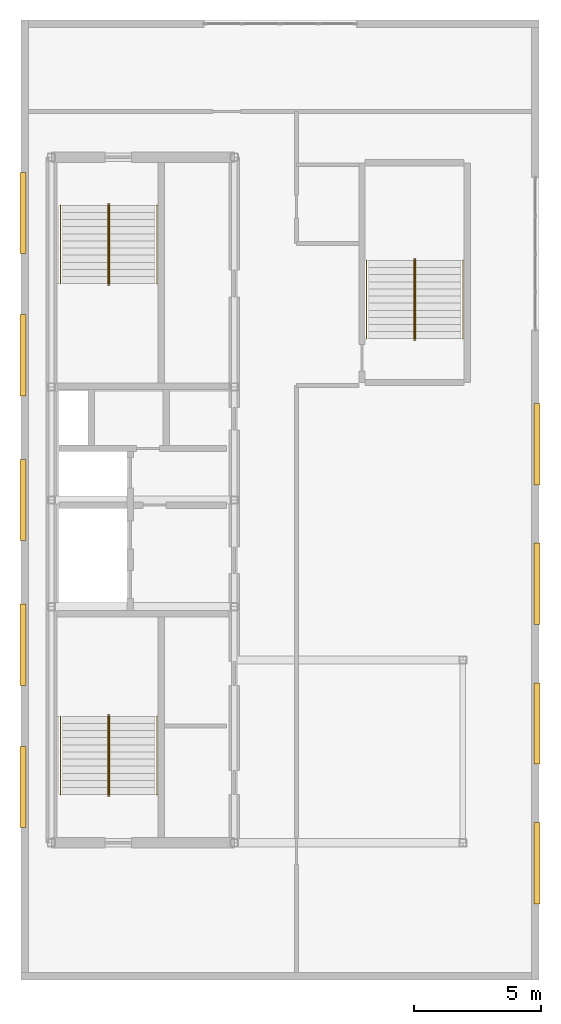
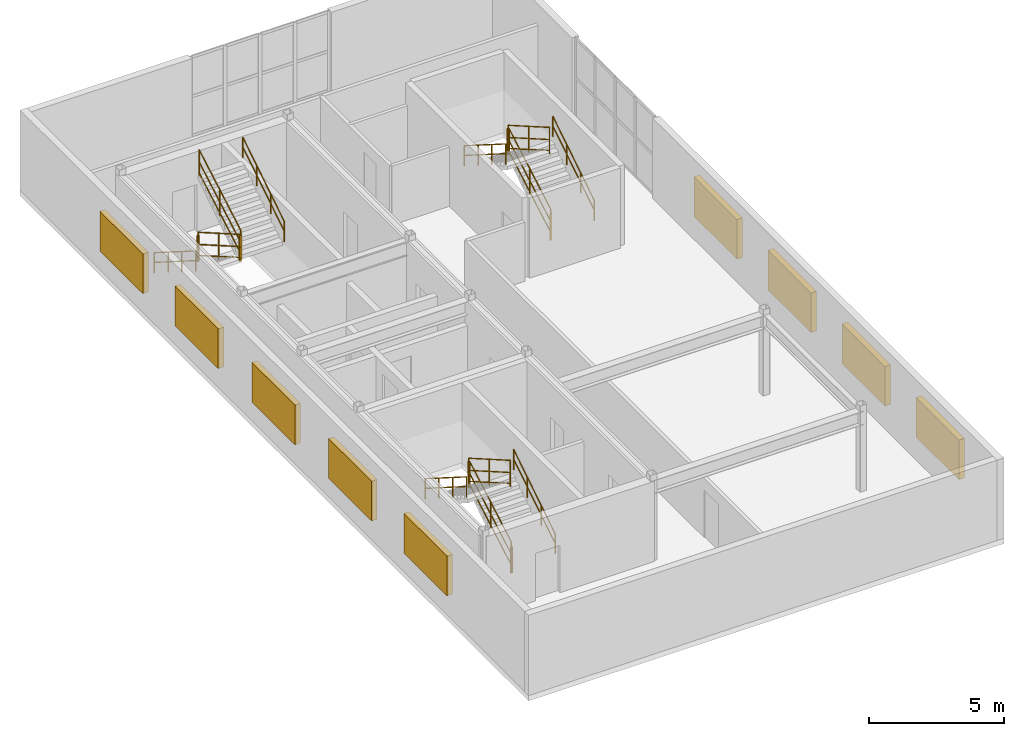
# One storey, part 6 of 6: 18 railings, 9 shading devices.
"""IFC4 building model written with IfcOpenShell, lengths in metres."""

from ifc_helpers import new_model, entity, si_unit, converted_unit, direction, frame, origin_with_axes, origin_2d_with_axis, place, context, subcontext, project, spatial, rectangle, circle, extrude, material, type_object, element, save


model = new_model("IFC4")

# Units and contexts
model_context = context("Model", 3, precision=1e-05, world=origin_with_axes(), true_north=direction((0.0, 1.0)))
body_context = subcontext(model_context, "Body", "Model", "MODEL_VIEW")
ifc_project = project(units=[si_unit("LENGTHUNIT", "METRE"), si_unit("AREAUNIT", "SQUARE_METRE"), si_unit("VOLUMEUNIT", "CUBIC_METRE"), converted_unit("PLANEANGLEUNIT", "DEGREE", entity("IfcPlaneAngleMeasure", 0.017453292519943295), si_unit("PLANEANGLEUNIT", "RADIAN"), dimensions=[0, 0, 0, 0, 0, 0, 0]), si_unit("MASSUNIT", "GRAM", prefix="KILO"), si_unit("THERMODYNAMICTEMPERATUREUNIT", "KELVIN")], contexts=[model_context])

# Site, building, storey
site_placement = place(None, origin_with_axes())
site = spatial("IfcSite", under=ifc_project, at=site_placement, CompositionType="ELEMENT")
building_placement = place(site_placement, origin_with_axes())
building = spatial("IfcBuilding", under=site, at=building_placement, Name="Varnlund Millrace Tower", CompositionType="ELEMENT")
storey_placement = place(building_placement, frame((0.0, 0.0, 320.4), z_axis=(0.0, 0.0, 1.0), x_axis=(1.0, 0.0, 0.0)))
storey = spatial("IfcBuildingStorey", under=building, at=storey_placement, Name="L79", CompositionType="ELEMENT", Elevation=320.4)

# Shading devices
ifc_material_1 = material(Name="Architectural bronze cold-climate intake louvre", Category="aluminium")
shading_device_type = type_object("IfcShadingDeviceType", Name="Type-Shade-CrownLouvre-JAL", PredefinedType="JALOUSIE", material=ifc_material_1)
for number, where, z_axis, x_axis, name in (
    (1, (10.28, 13.0, 0.9), (0.0, 0.0, 1.0), (0.0, 1.0, 0.0), "Type-Shade-CrownLouvre-JAL"),
    (2, (10.28, 18.6, 0.9), (0.0, 0.0, 1.0), (0.0, 1.0, 0.0), "Type-Shade-CrownLouvre-JAL"),
    (3, (10.28, 24.3, 0.9), (0.0, 0.0, 1.0), (0.0, 1.0, 0.0), "Type-Shade-CrownLouvre-JAL"),
    (4, (10.28, 30.0, 0.9), (0.0, 0.0, 1.0), (0.0, 1.0, 0.0), "Type-Shade-CrownLouvre-JAL"),
    (5, (10.28, 35.6, 0.9), (0.0, 0.0, 1.0), (0.0, 1.0, 0.0), "Type-Shade-CrownLouvre-JAL"),
    (6, (30.52, 10.0, 0.9), (0.0, 0.0, 1.0), (0.0, 1.0, 0.0), "Type-Shade-CrownLouvre-JAL"),
    (7, (30.52, 15.5, 0.9), (0.0, 0.0, 1.0), (0.0, 1.0, 0.0), "Type-Shade-CrownLouvre-JAL"),
    (8, (30.52, 21.0, 0.9), (0.0, 0.0, 1.0), (0.0, 1.0, 0.0), "Type-Shade-CrownLouvre-JAL"),
    (9, (30.52, 26.5, 0.9), (0.0, 0.0, 1.0), (0.0, 1.0, 0.0), "Type-Shade-CrownLouvre-JAL"),
):
    element("IfcShadingDevice", number, at=place(storey_placement, frame(where, z_axis=z_axis, x_axis=x_axis)), inside=storey, type_object=shading_device_type, Name=name, PredefinedType="JALOUSIE", context=body_context, shape_type="SweptSolid", body=[
        extrude(rectangle(XDim=3.2, YDim=0.24, at=origin_2d_with_axis()), origin_with_axes(), (0.0, 0.0, 1.0), 1.8),
    ])

# Railings
ifc_material_2 = material(Name="Painted steel stair well balustrade guard", Category="steel")
railing_type_1 = type_object("IfcRailingType", Name="Type-StairGuard-1150", PredefinedType="GUARDRAIL", material=ifc_material_2)
railing_1_placement = place(storey_placement, frame((0.0, 0.0, -320.4), z_axis=(0.0, 0.0, 1.0), x_axis=(1.0, 0.0, 0.0)))
element("IfcRailing", 10, at=railing_1_placement, inside=storey, type_object=railing_type_1, Name="Type-StairGuard-1150", PredefinedType="GUARDRAIL", context=body_context, shape_type="SweptSolid", body=[
    extrude(circle(Radius=0.024, at=origin_2d_with_axis()), frame((13.675, 12.7, 321.727273), z_axis=(0.0, 0.866696, 0.498836), x_axis=(-1.0, 0.0, 0.0)), (0.0, 0.0, 1.0), 3.553725),
    extrude(circle(Radius=0.024, at=origin_2d_with_axis()), frame((13.675, 12.7, 320.677273), z_axis=(0.0, 0.866696, 0.498836), x_axis=(-1.0, 0.0, 0.0)), (0.0, 0.0, 1.0), 3.553725),
    extrude(circle(Radius=0.024, at=origin_2d_with_axis()), frame((13.675, 12.7, 321.175273), z_axis=(0.0, 0.866696, 0.498836), x_axis=(-1.0, 0.0, 0.0)), (0.0, 0.0, 1.0), 3.553725),
    extrude(rectangle(XDim=0.04, YDim=0.04, at=origin_2d_with_axis()), frame((13.675, 12.7, 320.537273), z_axis=(0.0, 0.0, 1.0), x_axis=(1.0, 0.0, 0.0)), (0.0, 0.0, 1.0), 1.19),
    extrude(rectangle(XDim=0.04, YDim=0.04, at=origin_2d_with_axis()), frame((13.675, 14.24, 321.423636), z_axis=(0.0, 0.0, 1.0), x_axis=(1.0, 0.0, 0.0)), (0.0, 0.0, 1.0), 1.19),
    extrude(rectangle(XDim=0.04, YDim=0.04, at=origin_2d_with_axis()), frame((13.675, 15.78, 322.31), z_axis=(0.0, 0.0, 1.0), x_axis=(1.0, 0.0, 0.0)), (0.0, 0.0, 1.0), 1.19),
])
railing_2_placement = place(storey_placement, frame((0.0, 0.0, -320.4), z_axis=(0.0, 0.0, 1.0), x_axis=(1.0, 0.0, 0.0)))
element("IfcRailing", 11, at=railing_2_placement, inside=storey, type_object=railing_type_1, Name="Type-StairGuard-1150", PredefinedType="GUARDRAIL", context=body_context, shape_type="SweptSolid", body=[
    extrude(circle(Radius=0.024, at=origin_2d_with_axis()), frame((13.625, 15.83, 323.5), z_axis=(1.0, 0.0, 0.0), x_axis=(0.0, 1.0, 0.0)), (0.0, 0.0, 1.0), 0.05),
    extrude(circle(Radius=0.024, at=origin_2d_with_axis()), frame((13.625, 15.83, 322.45), z_axis=(1.0, 0.0, 0.0), x_axis=(0.0, 1.0, 0.0)), (0.0, 0.0, 1.0), 0.05),
    extrude(circle(Radius=0.024, at=origin_2d_with_axis()), frame((13.625, 15.83, 322.948), z_axis=(1.0, 0.0, 0.0), x_axis=(0.0, 1.0, 0.0)), (0.0, 0.0, 1.0), 0.05),
    extrude(rectangle(XDim=0.04, YDim=0.04, at=origin_2d_with_axis()), frame((13.625, 15.83, 322.31), z_axis=(0.0, 0.0, 1.0), x_axis=(1.0, 0.0, 0.0)), (0.0, 0.0, 1.0), 1.19),
    extrude(rectangle(XDim=0.04, YDim=0.04, at=origin_2d_with_axis()), frame((13.675, 15.83, 322.31), z_axis=(0.0, 0.0, 1.0), x_axis=(1.0, 0.0, 0.0)), (0.0, 0.0, 1.0), 1.19),
])
railing_3_placement = place(storey_placement, frame((0.0, 0.0, -320.4), z_axis=(0.0, 0.0, 1.0), x_axis=(1.0, 0.0, 0.0)))
element("IfcRailing", 12, at=railing_3_placement, inside=storey, type_object=railing_type_1, Name="Type-StairGuard-1150", PredefinedType="GUARDRAIL", context=body_context, shape_type="SweptSolid", body=[
    extrude(circle(Radius=0.024, at=origin_2d_with_axis()), frame((13.625, 15.78, 323.677273), z_axis=(0.0, -0.866696, 0.498836), x_axis=(1.0, 0.0, 0.0)), (0.0, 0.0, 1.0), 3.553725),
    extrude(circle(Radius=0.024, at=origin_2d_with_axis()), frame((13.625, 15.78, 322.627273), z_axis=(0.0, -0.866696, 0.498836), x_axis=(1.0, 0.0, 0.0)), (0.0, 0.0, 1.0), 3.553725),
    extrude(circle(Radius=0.024, at=origin_2d_with_axis()), frame((13.625, 15.78, 323.125273), z_axis=(0.0, -0.866696, 0.498836), x_axis=(1.0, 0.0, 0.0)), (0.0, 0.0, 1.0), 3.553725),
    extrude(rectangle(XDim=0.04, YDim=0.04, at=origin_2d_with_axis()), frame((13.625, 15.78, 322.487273), z_axis=(0.0, 0.0, 1.0), x_axis=(1.0, 0.0, 0.0)), (0.0, 0.0, 1.0), 1.19),
    extrude(rectangle(XDim=0.04, YDim=0.04, at=origin_2d_with_axis()), frame((13.625, 14.24, 323.373636), z_axis=(0.0, 0.0, 1.0), x_axis=(1.0, 0.0, 0.0)), (0.0, 0.0, 1.0), 1.19),
    extrude(rectangle(XDim=0.04, YDim=0.04, at=origin_2d_with_axis()), frame((13.625, 12.7, 324.26), z_axis=(0.0, 0.0, 1.0), x_axis=(1.0, 0.0, 0.0)), (0.0, 0.0, 1.0), 1.19),
])
railing_4_placement = place(storey_placement, frame((0.0, 0.0, -320.4), z_axis=(0.0, 0.0, 1.0), x_axis=(1.0, 0.0, 0.0)))
element("IfcRailing", 13, at=railing_4_placement, inside=storey, type_object=railing_type_1, Name="Type-StairGuard-1150", PredefinedType="GUARDRAIL", context=body_context, shape_type="SweptSolid", body=[
    extrude(circle(Radius=0.024, at=origin_2d_with_axis()), frame((13.625, 12.65, 321.55), z_axis=(1.0, 0.0, 0.0), x_axis=(0.0, 1.0, 0.0)), (0.0, 0.0, 1.0), 0.05),
    extrude(circle(Radius=0.024, at=origin_2d_with_axis()), frame((13.625, 12.65, 320.5), z_axis=(1.0, 0.0, 0.0), x_axis=(0.0, 1.0, 0.0)), (0.0, 0.0, 1.0), 0.05),
    extrude(circle(Radius=0.024, at=origin_2d_with_axis()), frame((13.625, 12.65, 320.998), z_axis=(1.0, 0.0, 0.0), x_axis=(0.0, 1.0, 0.0)), (0.0, 0.0, 1.0), 0.05),
    extrude(rectangle(XDim=0.04, YDim=0.04, at=origin_2d_with_axis()), frame((13.625, 12.65, 320.36), z_axis=(0.0, 0.0, 1.0), x_axis=(1.0, 0.0, 0.0)), (0.0, 0.0, 1.0), 1.19),
    extrude(rectangle(XDim=0.04, YDim=0.04, at=origin_2d_with_axis()), frame((13.675, 12.65, 320.36), z_axis=(0.0, 0.0, 1.0), x_axis=(1.0, 0.0, 0.0)), (0.0, 0.0, 1.0), 1.19),
])
railing_5_placement = place(storey_placement, frame((0.0, 0.0, -320.4), z_axis=(0.0, 0.0, 1.0), x_axis=(1.0, 0.0, 0.0)))
element("IfcRailing", 14, at=railing_5_placement, inside=storey, type_object=railing_type_1, Name="Type-StairGuard-1150", PredefinedType="GUARDRAIL", context=body_context, shape_type="SweptSolid", body=[
    extrude(circle(Radius=0.024, at=origin_2d_with_axis()), frame((13.625, 35.9, 321.727273), z_axis=(0.0, -0.866696, 0.498836), x_axis=(1.0, 0.0, 0.0)), (0.0, 0.0, 1.0), 3.553725),
    extrude(circle(Radius=0.024, at=origin_2d_with_axis()), frame((13.625, 35.9, 320.677273), z_axis=(0.0, -0.866696, 0.498836), x_axis=(1.0, 0.0, 0.0)), (0.0, 0.0, 1.0), 3.553725),
    extrude(circle(Radius=0.024, at=origin_2d_with_axis()), frame((13.625, 35.9, 321.175273), z_axis=(0.0, -0.866696, 0.498836), x_axis=(1.0, 0.0, 0.0)), (0.0, 0.0, 1.0), 3.553725),
    extrude(rectangle(XDim=0.04, YDim=0.04, at=origin_2d_with_axis()), frame((13.625, 35.9, 320.537273), z_axis=(0.0, 0.0, 1.0), x_axis=(1.0, 0.0, 0.0)), (0.0, 0.0, 1.0), 1.19),
    extrude(rectangle(XDim=0.04, YDim=0.04, at=origin_2d_with_axis()), frame((13.625, 34.36, 321.423636), z_axis=(0.0, 0.0, 1.0), x_axis=(1.0, 0.0, 0.0)), (0.0, 0.0, 1.0), 1.19),
    extrude(rectangle(XDim=0.04, YDim=0.04, at=origin_2d_with_axis()), frame((13.625, 32.82, 322.31), z_axis=(0.0, 0.0, 1.0), x_axis=(1.0, 0.0, 0.0)), (0.0, 0.0, 1.0), 1.19),
])
railing_6_placement = place(storey_placement, frame((0.0, 0.0, -320.4), z_axis=(0.0, 0.0, 1.0), x_axis=(1.0, 0.0, 0.0)))
element("IfcRailing", 15, at=railing_6_placement, inside=storey, type_object=railing_type_1, Name="Type-StairGuard-1150", PredefinedType="GUARDRAIL", context=body_context, shape_type="SweptSolid", body=[
    extrude(circle(Radius=0.024, at=origin_2d_with_axis()), frame((13.675, 32.77, 323.5), z_axis=(-1.0, 0.0, 0.0), x_axis=(0.0, -1.0, 0.0)), (0.0, 0.0, 1.0), 0.05),
    extrude(circle(Radius=0.024, at=origin_2d_with_axis()), frame((13.675, 32.77, 322.45), z_axis=(-1.0, 0.0, 0.0), x_axis=(0.0, -1.0, 0.0)), (0.0, 0.0, 1.0), 0.05),
    extrude(circle(Radius=0.024, at=origin_2d_with_axis()), frame((13.675, 32.77, 322.948), z_axis=(-1.0, 0.0, 0.0), x_axis=(0.0, -1.0, 0.0)), (0.0, 0.0, 1.0), 0.05),
    extrude(rectangle(XDim=0.04, YDim=0.04, at=origin_2d_with_axis()), frame((13.675, 32.77, 322.31), z_axis=(0.0, 0.0, 1.0), x_axis=(1.0, 0.0, 0.0)), (0.0, 0.0, 1.0), 1.19),
    extrude(rectangle(XDim=0.04, YDim=0.04, at=origin_2d_with_axis()), frame((13.625, 32.77, 322.31), z_axis=(0.0, 0.0, 1.0), x_axis=(1.0, 0.0, 0.0)), (0.0, 0.0, 1.0), 1.19),
])
railing_7_placement = place(storey_placement, frame((0.0, 0.0, -320.4), z_axis=(0.0, 0.0, 1.0), x_axis=(1.0, 0.0, 0.0)))
element("IfcRailing", 16, at=railing_7_placement, inside=storey, type_object=railing_type_1, Name="Type-StairGuard-1150", PredefinedType="GUARDRAIL", context=body_context, shape_type="SweptSolid", body=[
    extrude(circle(Radius=0.024, at=origin_2d_with_axis()), frame((13.675, 32.82, 323.677273), z_axis=(0.0, 0.866696, 0.498836), x_axis=(-1.0, 0.0, 0.0)), (0.0, 0.0, 1.0), 3.553725),
    extrude(circle(Radius=0.024, at=origin_2d_with_axis()), frame((13.675, 32.82, 322.627273), z_axis=(0.0, 0.866696, 0.498836), x_axis=(-1.0, 0.0, 0.0)), (0.0, 0.0, 1.0), 3.553725),
    extrude(circle(Radius=0.024, at=origin_2d_with_axis()), frame((13.675, 32.82, 323.125273), z_axis=(0.0, 0.866696, 0.498836), x_axis=(-1.0, 0.0, 0.0)), (0.0, 0.0, 1.0), 3.553725),
    extrude(rectangle(XDim=0.04, YDim=0.04, at=origin_2d_with_axis()), frame((13.675, 32.82, 322.487273), z_axis=(0.0, 0.0, 1.0), x_axis=(1.0, 0.0, 0.0)), (0.0, 0.0, 1.0), 1.19),
    extrude(rectangle(XDim=0.04, YDim=0.04, at=origin_2d_with_axis()), frame((13.675, 34.36, 323.373636), z_axis=(0.0, 0.0, 1.0), x_axis=(1.0, 0.0, 0.0)), (0.0, 0.0, 1.0), 1.19),
    extrude(rectangle(XDim=0.04, YDim=0.04, at=origin_2d_with_axis()), frame((13.675, 35.9, 324.26), z_axis=(0.0, 0.0, 1.0), x_axis=(1.0, 0.0, 0.0)), (0.0, 0.0, 1.0), 1.19),
])
railing_8_placement = place(storey_placement, frame((0.0, 0.0, -320.4), z_axis=(0.0, 0.0, 1.0), x_axis=(1.0, 0.0, 0.0)))
element("IfcRailing", 17, at=railing_8_placement, inside=storey, type_object=railing_type_1, Name="Type-StairGuard-1150", PredefinedType="GUARDRAIL", context=body_context, shape_type="SweptSolid", body=[
    extrude(circle(Radius=0.024, at=origin_2d_with_axis()), frame((13.675, 35.95, 321.55), z_axis=(-1.0, 0.0, 0.0), x_axis=(0.0, -1.0, 0.0)), (0.0, 0.0, 1.0), 0.05),
    extrude(circle(Radius=0.024, at=origin_2d_with_axis()), frame((13.675, 35.95, 320.5), z_axis=(-1.0, 0.0, 0.0), x_axis=(0.0, -1.0, 0.0)), (0.0, 0.0, 1.0), 0.05),
    extrude(circle(Radius=0.024, at=origin_2d_with_axis()), frame((13.675, 35.95, 320.998), z_axis=(-1.0, 0.0, 0.0), x_axis=(0.0, -1.0, 0.0)), (0.0, 0.0, 1.0), 0.05),
    extrude(rectangle(XDim=0.04, YDim=0.04, at=origin_2d_with_axis()), frame((13.675, 35.95, 320.36), z_axis=(0.0, 0.0, 1.0), x_axis=(1.0, 0.0, 0.0)), (0.0, 0.0, 1.0), 1.19),
    extrude(rectangle(XDim=0.04, YDim=0.04, at=origin_2d_with_axis()), frame((13.625, 35.95, 320.36), z_axis=(0.0, 0.0, 1.0), x_axis=(1.0, 0.0, 0.0)), (0.0, 0.0, 1.0), 1.19),
])
railing_9_placement = place(storey_placement, frame((0.0, 0.0, -320.4), z_axis=(0.0, 0.0, 1.0), x_axis=(1.0, 0.0, 0.0)))
element("IfcRailing", 18, at=railing_9_placement, inside=storey, type_object=railing_type_1, Name="Type-StairGuard-1150", PredefinedType="GUARDRAIL", context=body_context, shape_type="SweptSolid", body=[
    extrude(circle(Radius=0.024, at=origin_2d_with_axis()), frame((25.725, 30.65, 321.727273), z_axis=(0.0, 0.866696, 0.498836), x_axis=(-1.0, 0.0, 0.0)), (0.0, 0.0, 1.0), 3.553725),
    extrude(circle(Radius=0.024, at=origin_2d_with_axis()), frame((25.725, 30.65, 320.677273), z_axis=(0.0, 0.866696, 0.498836), x_axis=(-1.0, 0.0, 0.0)), (0.0, 0.0, 1.0), 3.553725),
    extrude(circle(Radius=0.024, at=origin_2d_with_axis()), frame((25.725, 30.65, 321.175273), z_axis=(0.0, 0.866696, 0.498836), x_axis=(-1.0, 0.0, 0.0)), (0.0, 0.0, 1.0), 3.553725),
    extrude(rectangle(XDim=0.04, YDim=0.04, at=origin_2d_with_axis()), frame((25.725, 30.65, 320.537273), z_axis=(0.0, 0.0, 1.0), x_axis=(1.0, 0.0, 0.0)), (0.0, 0.0, 1.0), 1.19),
    extrude(rectangle(XDim=0.04, YDim=0.04, at=origin_2d_with_axis()), frame((25.725, 32.19, 321.423636), z_axis=(0.0, 0.0, 1.0), x_axis=(1.0, 0.0, 0.0)), (0.0, 0.0, 1.0), 1.19),
    extrude(rectangle(XDim=0.04, YDim=0.04, at=origin_2d_with_axis()), frame((25.725, 33.73, 322.31), z_axis=(0.0, 0.0, 1.0), x_axis=(1.0, 0.0, 0.0)), (0.0, 0.0, 1.0), 1.19),
])
railing_10_placement = place(storey_placement, frame((0.0, 0.0, -320.4), z_axis=(0.0, 0.0, 1.0), x_axis=(1.0, 0.0, 0.0)))
element("IfcRailing", 19, at=railing_10_placement, inside=storey, type_object=railing_type_1, Name="Type-StairGuard-1150", PredefinedType="GUARDRAIL", context=body_context, shape_type="SweptSolid", body=[
    extrude(circle(Radius=0.024, at=origin_2d_with_axis()), frame((25.675, 33.78, 323.5), z_axis=(1.0, 0.0, 0.0), x_axis=(0.0, 1.0, 0.0)), (0.0, 0.0, 1.0), 0.05),
    extrude(circle(Radius=0.024, at=origin_2d_with_axis()), frame((25.675, 33.78, 322.45), z_axis=(1.0, 0.0, 0.0), x_axis=(0.0, 1.0, 0.0)), (0.0, 0.0, 1.0), 0.05),
    extrude(circle(Radius=0.024, at=origin_2d_with_axis()), frame((25.675, 33.78, 322.948), z_axis=(1.0, 0.0, 0.0), x_axis=(0.0, 1.0, 0.0)), (0.0, 0.0, 1.0), 0.05),
    extrude(rectangle(XDim=0.04, YDim=0.04, at=origin_2d_with_axis()), frame((25.675, 33.78, 322.31), z_axis=(0.0, 0.0, 1.0), x_axis=(1.0, 0.0, 0.0)), (0.0, 0.0, 1.0), 1.19),
    extrude(rectangle(XDim=0.04, YDim=0.04, at=origin_2d_with_axis()), frame((25.725, 33.78, 322.31), z_axis=(0.0, 0.0, 1.0), x_axis=(1.0, 0.0, 0.0)), (0.0, 0.0, 1.0), 1.19),
])
railing_11_placement = place(storey_placement, frame((0.0, 0.0, -320.4), z_axis=(0.0, 0.0, 1.0), x_axis=(1.0, 0.0, 0.0)))
element("IfcRailing", 20, at=railing_11_placement, inside=storey, type_object=railing_type_1, Name="Type-StairGuard-1150", PredefinedType="GUARDRAIL", context=body_context, shape_type="SweptSolid", body=[
    extrude(circle(Radius=0.024, at=origin_2d_with_axis()), frame((25.675, 33.73, 323.677273), z_axis=(0.0, -0.866696, 0.498836), x_axis=(1.0, 0.0, 0.0)), (0.0, 0.0, 1.0), 3.553725),
    extrude(circle(Radius=0.024, at=origin_2d_with_axis()), frame((25.675, 33.73, 322.627273), z_axis=(0.0, -0.866696, 0.498836), x_axis=(1.0, 0.0, 0.0)), (0.0, 0.0, 1.0), 3.553725),
    extrude(circle(Radius=0.024, at=origin_2d_with_axis()), frame((25.675, 33.73, 323.125273), z_axis=(0.0, -0.866696, 0.498836), x_axis=(1.0, 0.0, 0.0)), (0.0, 0.0, 1.0), 3.553725),
    extrude(rectangle(XDim=0.04, YDim=0.04, at=origin_2d_with_axis()), frame((25.675, 33.73, 322.487273), z_axis=(0.0, 0.0, 1.0), x_axis=(1.0, 0.0, 0.0)), (0.0, 0.0, 1.0), 1.19),
    extrude(rectangle(XDim=0.04, YDim=0.04, at=origin_2d_with_axis()), frame((25.675, 32.19, 323.373636), z_axis=(0.0, 0.0, 1.0), x_axis=(1.0, 0.0, 0.0)), (0.0, 0.0, 1.0), 1.19),
    extrude(rectangle(XDim=0.04, YDim=0.04, at=origin_2d_with_axis()), frame((25.675, 30.65, 324.26), z_axis=(0.0, 0.0, 1.0), x_axis=(1.0, 0.0, 0.0)), (0.0, 0.0, 1.0), 1.19),
])
railing_12_placement = place(storey_placement, frame((0.0, 0.0, -320.4), z_axis=(0.0, 0.0, 1.0), x_axis=(1.0, 0.0, 0.0)))
element("IfcRailing", 21, at=railing_12_placement, inside=storey, type_object=railing_type_1, Name="Type-StairGuard-1150", PredefinedType="GUARDRAIL", context=body_context, shape_type="SweptSolid", body=[
    extrude(circle(Radius=0.024, at=origin_2d_with_axis()), frame((25.675, 30.6, 321.55), z_axis=(1.0, 0.0, 0.0), x_axis=(0.0, 1.0, 0.0)), (0.0, 0.0, 1.0), 0.05),
    extrude(circle(Radius=0.024, at=origin_2d_with_axis()), frame((25.675, 30.6, 320.5), z_axis=(1.0, 0.0, 0.0), x_axis=(0.0, 1.0, 0.0)), (0.0, 0.0, 1.0), 0.05),
    extrude(circle(Radius=0.024, at=origin_2d_with_axis()), frame((25.675, 30.6, 320.998), z_axis=(1.0, 0.0, 0.0), x_axis=(0.0, 1.0, 0.0)), (0.0, 0.0, 1.0), 0.05),
    extrude(rectangle(XDim=0.04, YDim=0.04, at=origin_2d_with_axis()), frame((25.675, 30.6, 320.36), z_axis=(0.0, 0.0, 1.0), x_axis=(1.0, 0.0, 0.0)), (0.0, 0.0, 1.0), 1.19),
    extrude(rectangle(XDim=0.04, YDim=0.04, at=origin_2d_with_axis()), frame((25.725, 30.6, 320.36), z_axis=(0.0, 0.0, 1.0), x_axis=(1.0, 0.0, 0.0)), (0.0, 0.0, 1.0), 1.19),
])
ifc_material_3 = material(Name="Brushed architectural bronze stair handrail", Category="aluminium")
railing_type_2 = type_object("IfcRailingType", Name="Type-StairHandrail-900", PredefinedType="HANDRAIL", material=ifc_material_3)
railing_13_placement = place(storey_placement, frame((0.0, 0.0, -320.4), z_axis=(0.0, 0.0, 1.0), x_axis=(1.0, 0.0, 0.0)))
element("IfcRailing", 22, at=railing_13_placement, inside=storey, type_object=railing_type_2, Name="Type-StairHandrail-900", PredefinedType="HANDRAIL", context=body_context, shape_type="SweptSolid", body=[
    extrude(circle(Radius=0.024, at=origin_2d_with_axis()), frame((15.55, 12.7, 321.456995), z_axis=(0.0, 0.844902, 0.534922), x_axis=(-1.0, 0.0, 0.0)), (0.0, 0.0, 1.0), 3.645394),
    extrude(circle(Radius=0.024, at=origin_2d_with_axis()), frame((15.55, 12.7, 321.017134), z_axis=(0.0, 0.844902, 0.534922), x_axis=(-1.0, 0.0, 0.0)), (0.0, 0.0, 1.0), 3.645394),
    extrude(rectangle(XDim=0.04, YDim=0.04, at=origin_2d_with_axis()), frame((15.55, 12.7, 320.537273), z_axis=(0.0, 0.0, 1.0), x_axis=(1.0, 0.0, 0.0)), (0.0, 0.0, 1.0), 0.919722),
    extrude(rectangle(XDim=0.04, YDim=0.04, at=origin_2d_with_axis()), frame((15.55, 13.726667, 321.187273), z_axis=(0.0, 0.0, 1.0), x_axis=(1.0, 0.0, 0.0)), (0.0, 0.0, 1.0), 0.919722),
    extrude(rectangle(XDim=0.04, YDim=0.04, at=origin_2d_with_axis()), frame((15.55, 14.753333, 321.837273), z_axis=(0.0, 0.0, 1.0), x_axis=(1.0, 0.0, 0.0)), (0.0, 0.0, 1.0), 0.919722),
    extrude(rectangle(XDim=0.04, YDim=0.04, at=origin_2d_with_axis()), frame((15.55, 15.78, 322.487273), z_axis=(0.0, 0.0, 1.0), x_axis=(1.0, 0.0, 0.0)), (0.0, 0.0, 1.0), 0.919722),
])
railing_14_placement = place(storey_placement, frame((0.0, 0.0, -320.4), z_axis=(0.0, 0.0, 1.0), x_axis=(1.0, 0.0, 0.0)))
element("IfcRailing", 23, at=railing_14_placement, inside=storey, type_object=railing_type_2, Name="Type-StairHandrail-900", PredefinedType="HANDRAIL", context=body_context, shape_type="SweptSolid", body=[
    extrude(circle(Radius=0.024, at=origin_2d_with_axis()), frame((11.75, 15.78, 323.406995), z_axis=(0.0, -0.844902, 0.534922), x_axis=(1.0, 0.0, 0.0)), (0.0, 0.0, 1.0), 3.645394),
    extrude(circle(Radius=0.024, at=origin_2d_with_axis()), frame((11.75, 15.78, 322.967134), z_axis=(0.0, -0.844902, 0.534922), x_axis=(1.0, 0.0, 0.0)), (0.0, 0.0, 1.0), 3.645394),
    extrude(rectangle(XDim=0.04, YDim=0.04, at=origin_2d_with_axis()), frame((11.75, 15.78, 322.487273), z_axis=(0.0, 0.0, 1.0), x_axis=(1.0, 0.0, 0.0)), (0.0, 0.0, 1.0), 0.919722),
    extrude(rectangle(XDim=0.04, YDim=0.04, at=origin_2d_with_axis()), frame((11.75, 14.753333, 323.137273), z_axis=(0.0, 0.0, 1.0), x_axis=(1.0, 0.0, 0.0)), (0.0, 0.0, 1.0), 0.919722),
    extrude(rectangle(XDim=0.04, YDim=0.04, at=origin_2d_with_axis()), frame((11.75, 13.726667, 323.787273), z_axis=(0.0, 0.0, 1.0), x_axis=(1.0, 0.0, 0.0)), (0.0, 0.0, 1.0), 0.919722),
    extrude(rectangle(XDim=0.04, YDim=0.04, at=origin_2d_with_axis()), frame((11.75, 12.7, 324.437273), z_axis=(0.0, 0.0, 1.0), x_axis=(1.0, 0.0, 0.0)), (0.0, 0.0, 1.0), 0.919722),
])
railing_15_placement = place(storey_placement, frame((0.0, 0.0, -320.4), z_axis=(0.0, 0.0, 1.0), x_axis=(1.0, 0.0, 0.0)))
element("IfcRailing", 24, at=railing_15_placement, inside=storey, type_object=railing_type_2, Name="Type-StairHandrail-900", PredefinedType="HANDRAIL", context=body_context, shape_type="SweptSolid", body=[
    extrude(circle(Radius=0.024, at=origin_2d_with_axis()), frame((11.75, 35.9, 321.456995), z_axis=(0.0, -0.844902, 0.534922), x_axis=(1.0, 0.0, 0.0)), (0.0, 0.0, 1.0), 3.645394),
    extrude(circle(Radius=0.024, at=origin_2d_with_axis()), frame((11.75, 35.9, 321.017134), z_axis=(0.0, -0.844902, 0.534922), x_axis=(1.0, 0.0, 0.0)), (0.0, 0.0, 1.0), 3.645394),
    extrude(rectangle(XDim=0.04, YDim=0.04, at=origin_2d_with_axis()), frame((11.75, 35.9, 320.537273), z_axis=(0.0, 0.0, 1.0), x_axis=(1.0, 0.0, 0.0)), (0.0, 0.0, 1.0), 0.919722),
    extrude(rectangle(XDim=0.04, YDim=0.04, at=origin_2d_with_axis()), frame((11.75, 34.873333, 321.187273), z_axis=(0.0, 0.0, 1.0), x_axis=(1.0, 0.0, 0.0)), (0.0, 0.0, 1.0), 0.919722),
    extrude(rectangle(XDim=0.04, YDim=0.04, at=origin_2d_with_axis()), frame((11.75, 33.846667, 321.837273), z_axis=(0.0, 0.0, 1.0), x_axis=(1.0, 0.0, 0.0)), (0.0, 0.0, 1.0), 0.919722),
    extrude(rectangle(XDim=0.04, YDim=0.04, at=origin_2d_with_axis()), frame((11.75, 32.82, 322.487273), z_axis=(0.0, 0.0, 1.0), x_axis=(1.0, 0.0, 0.0)), (0.0, 0.0, 1.0), 0.919722),
])
railing_16_placement = place(storey_placement, frame((0.0, 0.0, -320.4), z_axis=(0.0, 0.0, 1.0), x_axis=(1.0, 0.0, 0.0)))
element("IfcRailing", 25, at=railing_16_placement, inside=storey, type_object=railing_type_2, Name="Type-StairHandrail-900", PredefinedType="HANDRAIL", context=body_context, shape_type="SweptSolid", body=[
    extrude(circle(Radius=0.024, at=origin_2d_with_axis()), frame((15.55, 32.82, 323.406995), z_axis=(0.0, 0.844902, 0.534922), x_axis=(-1.0, 0.0, 0.0)), (0.0, 0.0, 1.0), 3.645394),
    extrude(circle(Radius=0.024, at=origin_2d_with_axis()), frame((15.55, 32.82, 322.967134), z_axis=(0.0, 0.844902, 0.534922), x_axis=(-1.0, 0.0, 0.0)), (0.0, 0.0, 1.0), 3.645394),
    extrude(rectangle(XDim=0.04, YDim=0.04, at=origin_2d_with_axis()), frame((15.55, 32.82, 322.487273), z_axis=(0.0, 0.0, 1.0), x_axis=(1.0, 0.0, 0.0)), (0.0, 0.0, 1.0), 0.919722),
    extrude(rectangle(XDim=0.04, YDim=0.04, at=origin_2d_with_axis()), frame((15.55, 33.846667, 323.137273), z_axis=(0.0, 0.0, 1.0), x_axis=(1.0, 0.0, 0.0)), (0.0, 0.0, 1.0), 0.919722),
    extrude(rectangle(XDim=0.04, YDim=0.04, at=origin_2d_with_axis()), frame((15.55, 34.873333, 323.787273), z_axis=(0.0, 0.0, 1.0), x_axis=(1.0, 0.0, 0.0)), (0.0, 0.0, 1.0), 0.919722),
    extrude(rectangle(XDim=0.04, YDim=0.04, at=origin_2d_with_axis()), frame((15.55, 35.9, 324.437273), z_axis=(0.0, 0.0, 1.0), x_axis=(1.0, 0.0, 0.0)), (0.0, 0.0, 1.0), 0.919722),
])
railing_17_placement = place(storey_placement, frame((0.0, 0.0, -320.4), z_axis=(0.0, 0.0, 1.0), x_axis=(1.0, 0.0, 0.0)))
element("IfcRailing", 26, at=railing_17_placement, inside=storey, type_object=railing_type_2, Name="Type-StairHandrail-900", PredefinedType="HANDRAIL", context=body_context, shape_type="SweptSolid", body=[
    extrude(circle(Radius=0.024, at=origin_2d_with_axis()), frame((27.6, 30.65, 321.456995), z_axis=(0.0, 0.844902, 0.534922), x_axis=(-1.0, 0.0, 0.0)), (0.0, 0.0, 1.0), 3.645394),
    extrude(circle(Radius=0.024, at=origin_2d_with_axis()), frame((27.6, 30.65, 321.017134), z_axis=(0.0, 0.844902, 0.534922), x_axis=(-1.0, 0.0, 0.0)), (0.0, 0.0, 1.0), 3.645394),
    extrude(rectangle(XDim=0.04, YDim=0.04, at=origin_2d_with_axis()), frame((27.6, 30.65, 320.537273), z_axis=(0.0, 0.0, 1.0), x_axis=(1.0, 0.0, 0.0)), (0.0, 0.0, 1.0), 0.919722),
    extrude(rectangle(XDim=0.04, YDim=0.04, at=origin_2d_with_axis()), frame((27.6, 31.676667, 321.187273), z_axis=(0.0, 0.0, 1.0), x_axis=(1.0, 0.0, 0.0)), (0.0, 0.0, 1.0), 0.919722),
    extrude(rectangle(XDim=0.04, YDim=0.04, at=origin_2d_with_axis()), frame((27.6, 32.703333, 321.837273), z_axis=(0.0, 0.0, 1.0), x_axis=(1.0, 0.0, 0.0)), (0.0, 0.0, 1.0), 0.919722),
    extrude(rectangle(XDim=0.04, YDim=0.04, at=origin_2d_with_axis()), frame((27.6, 33.73, 322.487273), z_axis=(0.0, 0.0, 1.0), x_axis=(1.0, 0.0, 0.0)), (0.0, 0.0, 1.0), 0.919722),
])
railing_18_placement = place(storey_placement, frame((0.0, 0.0, -320.4), z_axis=(0.0, 0.0, 1.0), x_axis=(1.0, 0.0, 0.0)))
element("IfcRailing", 27, at=railing_18_placement, inside=storey, type_object=railing_type_2, Name="Type-StairHandrail-900", PredefinedType="HANDRAIL", context=body_context, shape_type="SweptSolid", body=[
    extrude(circle(Radius=0.024, at=origin_2d_with_axis()), frame((23.8, 33.73, 323.406995), z_axis=(0.0, -0.844902, 0.534922), x_axis=(1.0, 0.0, 0.0)), (0.0, 0.0, 1.0), 3.645394),
    extrude(circle(Radius=0.024, at=origin_2d_with_axis()), frame((23.8, 33.73, 322.967134), z_axis=(0.0, -0.844902, 0.534922), x_axis=(1.0, 0.0, 0.0)), (0.0, 0.0, 1.0), 3.645394),
    extrude(rectangle(XDim=0.04, YDim=0.04, at=origin_2d_with_axis()), frame((23.8, 33.73, 322.487273), z_axis=(0.0, 0.0, 1.0), x_axis=(1.0, 0.0, 0.0)), (0.0, 0.0, 1.0), 0.919722),
    extrude(rectangle(XDim=0.04, YDim=0.04, at=origin_2d_with_axis()), frame((23.8, 32.703333, 323.137273), z_axis=(0.0, 0.0, 1.0), x_axis=(1.0, 0.0, 0.0)), (0.0, 0.0, 1.0), 0.919722),
    extrude(rectangle(XDim=0.04, YDim=0.04, at=origin_2d_with_axis()), frame((23.8, 31.676667, 323.787273), z_axis=(0.0, 0.0, 1.0), x_axis=(1.0, 0.0, 0.0)), (0.0, 0.0, 1.0), 0.919722),
    extrude(rectangle(XDim=0.04, YDim=0.04, at=origin_2d_with_axis()), frame((23.8, 30.65, 324.437273), z_axis=(0.0, 0.0, 1.0), x_axis=(1.0, 0.0, 0.0)), (0.0, 0.0, 1.0), 0.919722),
])

save(model, "model.ifc")
